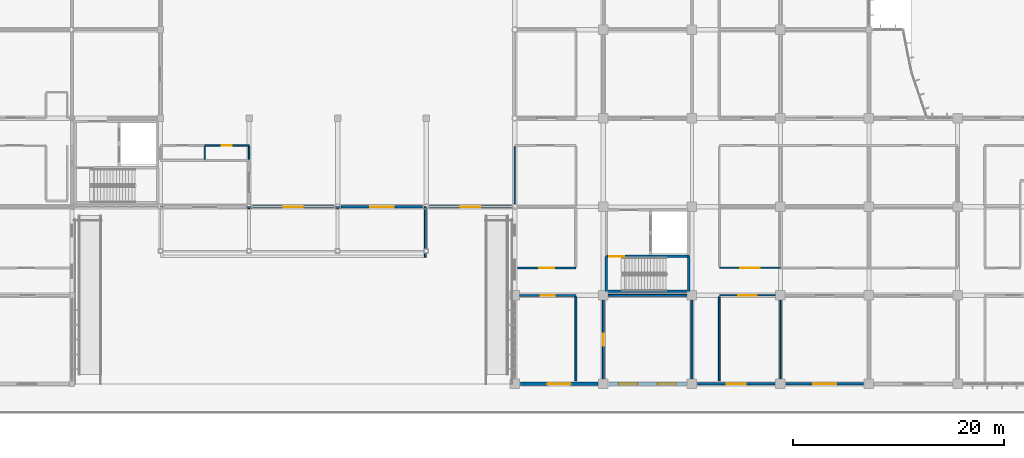
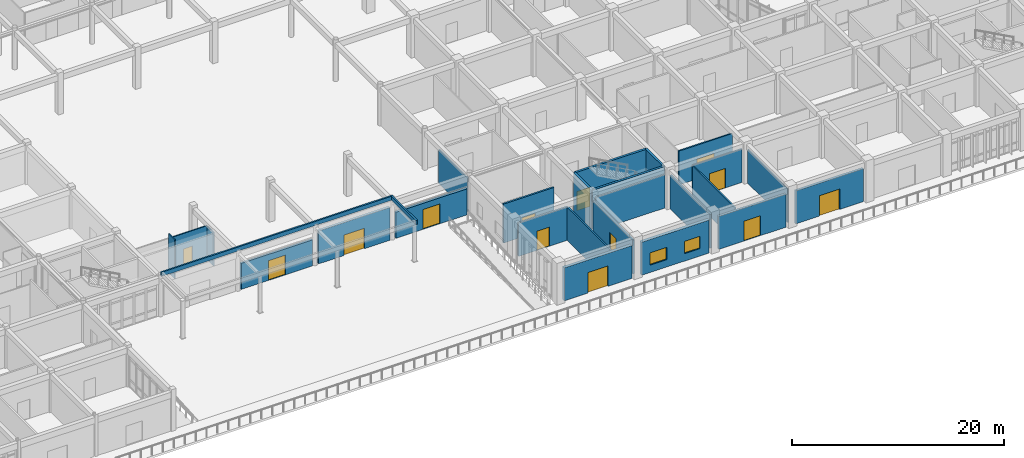
# One storey, part 94 of 138: 27 walls, 13 doors, 2 windows, 15 openings.
"""IFC4 building model written with IfcOpenShell, lengths in metres."""

from ifc_helpers import new_model, si_unit, direction, frame, frame_2d, origin, place, context, subcontext, project, spatial, rectangle, extrude, material, layer, layer_set, type_object, element, fill, save


model = new_model("IFC4")

# Units and contexts
model_context = context("Model", 3, precision=1e-05, world=origin(), true_north=direction((0.0, 1.0)))
body_context = subcontext(model_context, "Body", "Model", "MODEL_VIEW")
ifc_project = project(units=[si_unit("LENGTHUNIT", "METRE"), si_unit("AREAUNIT", "SQUARE_METRE"), si_unit("VOLUMEUNIT", "CUBIC_METRE"), si_unit("PLANEANGLEUNIT", "RADIAN"), si_unit("MASSUNIT", "GRAM", prefix="KILO")], contexts=[model_context])

# Site, building, storey
site_placement = place(None, origin())
site = spatial("IfcSite", under=ifc_project, at=site_placement, CompositionType="ELEMENT")
building_placement = place(site_placement, origin())
building = spatial("IfcBuilding", under=site, at=building_placement, Name="Bramfleet General Hospital", CompositionType="ELEMENT")
storey_placement = place(building_placement, origin())
storey = spatial("IfcBuildingStorey", under=building, at=storey_placement, Name="L00", CompositionType="ELEMENT", Elevation=0.0)

# Wall, openings, windows
ifc_material_1 = material(Name="Precast concrete C40/50", Category="concrete")
ifc_layer_1 = layer(ifc_material_1, 0.3349609375, Name="WT-EW-03")
ifc_layer_set_1 = layer_set([ifc_layer_1], Name="Precast concrete C40/50")
wall_type_1 = type_object("IfcWallType", Name="WT-EW-03", PredefinedType="SOLIDWALL", material=ifc_layer_set_1)
wall_1_placement = place(storey_placement, frame((108.675048828125, 0.0, 0.0), z_axis=(0.0, 0.0, 1.0), x_axis=(-1.0, 0.0, 0.0)))
wall_1 = element("IfcWall", 1, at=wall_1_placement, inside=storey, type_object=wall_type_1, Name="L00 Exterior Wall 141", PredefinedType="SOLIDWALL", context=body_context, shape_type="SweptSolid", body=[
    extrude(rectangle(XDim=7.35009765625, YDim=0.3349609375, at=frame_2d((3.675048828125, 0.0))), origin(), (0.0, 0.0, 1.0), 3.7900390625),
])
opening_1_placement = place(wall_1_placement, frame((0.987548828125, 0.0, 0.85009765625)))
opening_1 = element("IfcOpeningElement", 2, at=opening_1_placement, cuts=wall_1, Name="Opening W-18", PredefinedType="OPENING", context=body_context, shape_type="SweptSolid", body=[
    extrude(rectangle(XDim=1.699951171875, YDim=1.419921875, at=frame_2d((0.85009765625, 0.7099609375))), frame((0.0, 0.177490234375, 0.0), z_axis=(0.0, -1.0, 0.0), x_axis=(1.0, 0.0, 0.0)), (0.0, 0.0, 1.0), 0.35498046875),
])
opening_2_placement = place(wall_1_placement, frame((4.612548828125, 0.0, 0.85009765625)))
opening_2 = element("IfcOpeningElement", 3, at=opening_2_placement, cuts=wall_1, Name="Opening W-19", PredefinedType="OPENING", context=body_context, shape_type="SweptSolid", body=[
    extrude(rectangle(XDim=1.800048828125, YDim=1.419921875, at=frame_2d((0.89990234375, 0.7099609375))), frame((0.0, 0.177490234375, 0.0), z_axis=(0.0, -1.0, 0.0), x_axis=(1.0, 0.0, 0.0)), (0.0, 0.0, 1.0), 0.35498046875),
])
ifc_material_2 = material(Name="Anodised aluminium and low-E triple glazing", Category="aluminium")
window_type_1 = type_object("IfcWindowType", Name="WIN-W-18", PartitioningType="SINGLE_PANEL", PredefinedType="WINDOW", material=ifc_material_2)
window_1_placement = place(opening_1_placement, origin())
window_1 = element("IfcWindow", 4, at=window_1_placement, inside=storey, type_object=window_type_1, Name="L00 Facade Window WIN-L00-141-1", OverallHeight=1.419921875, OverallWidth=1.699951171875, PartitioningType="SINGLE_PANEL", PredefinedType="WINDOW", context=body_context, shape_type="SweptSolid", body=[
    extrude(rectangle(XDim=1.699951171875, YDim=1.419921875, at=frame_2d((0.85009765625, 0.7099609375))), frame((0.0, 0.030029296875, 0.0), z_axis=(0.0, -1.0, 0.0), x_axis=(1.0, 0.0, 0.0)), (0.0, 0.0, 1.0), 0.06005859375),
])
fill(opening_1, window_1)
window_type_2 = type_object("IfcWindowType", Name="WIN-W-19", PartitioningType="SINGLE_PANEL", PredefinedType="WINDOW", material=ifc_material_2)
window_2_placement = place(opening_2_placement, origin())
window_2 = element("IfcWindow", 5, at=window_2_placement, inside=storey, type_object=window_type_2, Name="L00 Facade Window WIN-L00-141-2", OverallHeight=1.419921875, OverallWidth=1.800048828125, PartitioningType="SINGLE_PANEL", PredefinedType="WINDOW", context=body_context, shape_type="SweptSolid", body=[
    extrude(rectangle(XDim=1.800048828125, YDim=1.419921875, at=frame_2d((0.89990234375, 0.7099609375))), frame((0.0, 0.030029296875, 0.0), z_axis=(0.0, -1.0, 0.0), x_axis=(1.0, 0.0, 0.0)), (0.0, 0.0, 1.0), 0.06005859375),
])
fill(opening_2, window_2)

# Wall, opening, door
ifc_layer_2 = layer(ifc_material_1, 0.31494140625, Name="WT-EW-04")
ifc_layer_set_2 = layer_set([ifc_layer_2], Name="Precast concrete C40/50")
wall_type_2 = type_object("IfcWallType", Name="WT-EW-04", PredefinedType="SOLIDWALL", material=ifc_layer_set_2)
wall_2_placement = place(storey_placement, frame((100.27490234375, 0.0, 0.0), z_axis=(0.0, 0.0, 1.0), x_axis=(-1.0, 0.0, 0.0)))
wall_2 = element("IfcWall", 6, at=wall_2_placement, inside=storey, type_object=wall_type_2, Name="L00 Exterior Wall 142", PredefinedType="SOLIDWALL", context=body_context, shape_type="SweptSolid", body=[
    extrude(rectangle(XDim=7.349853515625, YDim=0.31494140625, at=frame_2d((3.6748046875, 0.0))), origin(), (0.0, 0.0, 1.0), 3.7900390625),
])
opening_3_placement = place(wall_2_placement, frame((2.574951171875, 0.0, 0.0)))
opening_3 = element("IfcOpeningElement", 7, at=opening_3_placement, cuts=wall_2, Name="Opening D-L00-EXT-012", PredefinedType="OPENING", context=body_context, shape_type="SweptSolid", body=[
    extrude(rectangle(XDim=2.199951171875, YDim=2.35009765625, at=frame_2d((1.10009765625, 1.175048828125))), frame((0.0, 0.16748046875, 0.0), z_axis=(0.0, -1.0, 0.0), x_axis=(1.0, 0.0, 0.0)), (0.0, 0.0, 1.0), 0.3349609375),
])
ifc_material_3 = material(Name="Thermally broken steel and laminated safety glass", Category="steel")
door_type_1 = type_object("IfcDoorType", Name="DR-ED-01", OperationType="NOTDEFINED", PredefinedType="DOOR", material=ifc_material_3)
door_1_placement = place(opening_3_placement, origin())
door_1 = element("IfcDoor", 8, at=door_1_placement, inside=storey, type_object=door_type_1, Name="Ground Exterior Pedestrian Door D-L00-EXT-012", OperationType="DOUBLE_SWING_LEFT", OverallHeight=2.35009765625, OverallWidth=2.199951171875, PredefinedType="DOOR", context=body_context, shape_type="SweptSolid", body=[
    extrude(rectangle(XDim=2.199951171875, YDim=2.35009765625, at=frame_2d((1.10009765625, 1.175048828125))), frame((0.0, 0.02490234375, 0.0), z_axis=(0.0, -1.0, 0.0), x_axis=(1.0, 0.0, 0.0)), (0.0, 0.0, 1.0), 0.050048828125),
])
fill(opening_3, door_1)

ifc_layer_3 = layer(ifc_material_1, 0.280029296875, Name="WT-EW-06")
ifc_layer_set_3 = layer_set([ifc_layer_3], Name="Precast concrete C40/50")
wall_type_3 = type_object("IfcWallType", Name="WT-EW-06", PredefinedType="SOLIDWALL", material=ifc_layer_set_3)
wall_3_placement = place(storey_placement, frame((92.071044921875, 16.800048828125, 0.0), z_axis=(0.0, 0.0, 1.0), x_axis=(-1.0, 0.0, 0.0)))
wall_3 = element("IfcWall", 9, at=wall_3_placement, inside=storey, type_object=wall_type_3, Name="L00 Exterior Wall 144", PredefinedType="SOLIDWALL", context=body_context, shape_type="SweptSolid", body=[
    extrude(rectangle(XDim=7.741943359375, YDim=0.280029296875, at=frame_2d((3.87109375, 0.0))), origin(), (0.0, 0.0, 1.0), 2.989990234375),
])
opening_4_placement = place(wall_3_placement, frame((2.9609375, 0.0, 0.0)))
opening_4 = element("IfcOpeningElement", 10, at=opening_4_placement, cuts=wall_3, Name="Opening D-L00-EXT-013", PredefinedType="OPENING", context=body_context, shape_type="SweptSolid", body=[
    extrude(rectangle(XDim=1.820068359375, YDim=2.280029296875, at=frame_2d((0.91015625, 1.14013671875))), frame((0.0, 0.14990234375, 0.0), z_axis=(0.0, -1.0, 0.0), x_axis=(1.0, 0.0, 0.0)), (0.0, 0.0, 1.0), 0.300048828125),
])
door_type_2 = type_object("IfcDoorType", Name="DR-ED-02", OperationType="NOTDEFINED", PredefinedType="DOOR", material=ifc_material_3)
door_2_placement = place(opening_4_placement, origin())
door_2 = element("IfcDoor", 11, at=door_2_placement, inside=storey, type_object=door_type_2, Name="Ground Exterior Pedestrian Door D-L00-EXT-013", OperationType="DOUBLE_SWING_LEFT", OverallHeight=2.280029296875, OverallWidth=1.820068359375, PredefinedType="DOOR", context=body_context, shape_type="SweptSolid", body=[
    extrude(rectangle(XDim=1.820068359375, YDim=2.280029296875, at=frame_2d((0.91015625, 1.14013671875))), frame((0.0, 0.02490234375, 0.0), z_axis=(0.0, -1.0, 0.0), x_axis=(1.0, 0.0, 0.0)), (0.0, 0.0, 1.0), 0.050048828125),
])
fill(opening_4, door_2)

ifc_layer_4 = layer(ifc_material_1, 0.264892578125, Name="WT-EW-07")
ifc_layer_set_4 = layer_set([ifc_layer_4], Name="Precast concrete C40/50")
wall_type_4 = type_object("IfcWallType", Name="WT-EW-07", PredefinedType="SOLIDWALL", material=ifc_layer_set_4)
wall_4_placement = place(storey_placement, frame((83.6708984375, 16.800048828125, 0.0), z_axis=(0.0, 0.0, 1.0), x_axis=(-1.0, 0.0, 0.0)))
wall_4 = element("IfcWall", 12, at=wall_4_placement, inside=storey, type_object=wall_type_4, Name="L00 Exterior Wall 145", PredefinedType="SOLIDWALL", context=body_context, shape_type="SweptSolid", body=[
    extrude(rectangle(XDim=7.741943359375, YDim=0.264892578125, at=frame_2d((3.87109375, 0.0))), origin(), (0.0, 0.0, 1.0), 3.7900390625),
])
opening_5_placement = place(wall_4_placement, frame((2.77099609375, 0.0, 0.0)))
opening_5 = element("IfcOpeningElement", 13, at=opening_5_placement, cuts=wall_4, Name="Opening D-L00-EXT-014", PredefinedType="OPENING", context=body_context, shape_type="SweptSolid", body=[
    extrude(rectangle(XDim=2.199951171875, YDim=2.35009765625, at=frame_2d((1.10009765625, 1.175048828125))), frame((0.0, 0.142333984375, 0.0), z_axis=(0.0, -1.0, 0.0), x_axis=(1.0, 0.0, 0.0)), (0.0, 0.0, 1.0), 0.284912109375),
])
door_3_placement = place(opening_5_placement, origin())
door_3 = element("IfcDoor", 14, at=door_3_placement, inside=storey, type_object=door_type_1, Name="Ground Exterior Pedestrian Door D-L00-EXT-014", OperationType="DOUBLE_SWING_LEFT", OverallHeight=2.35009765625, OverallWidth=2.199951171875, PredefinedType="DOOR", context=body_context, shape_type="SweptSolid", body=[
    extrude(rectangle(XDim=2.199951171875, YDim=2.35009765625, at=frame_2d((1.10009765625, 1.175048828125))), frame((0.0, 0.02490234375, 0.0), z_axis=(0.0, -1.0, 0.0), x_axis=(1.0, 0.0, 0.0)), (0.0, 0.0, 1.0), 0.050048828125),
])
fill(opening_5, door_3)

ifc_layer_5 = layer(ifc_material_1, 0.25, Name="WT-EW-08")
ifc_layer_set_5 = layer_set([ifc_layer_5], Name="Precast concrete C40/50")
wall_type_5 = type_object("IfcWallType", Name="WT-EW-08", PredefinedType="SOLIDWALL", material=ifc_layer_set_5)
wall_5_placement = place(storey_placement, frame((125.47509765625, 0.0, 0.0), z_axis=(0.0, 0.0, 1.0), x_axis=(-1.0, 0.0, 0.0)))
wall_5 = element("IfcWall", 15, at=wall_5_placement, inside=storey, type_object=wall_type_5, Name="L00 Exterior Wall 139", PredefinedType="SOLIDWALL", context=body_context, shape_type="SweptSolid", body=[
    extrude(rectangle(XDim=7.35009765625, YDim=0.25, at=frame_2d((3.675048828125, 0.0))), origin(), (0.0, 0.0, 1.0), 3.7900390625),
])
opening_6_placement = place(wall_5_placement, frame((2.574951171875, 0.0, 0.0)))
opening_6 = element("IfcOpeningElement", 16, at=opening_6_placement, cuts=wall_5, Name="Opening D-L00-EXT-010", PredefinedType="OPENING", context=body_context, shape_type="SweptSolid", body=[
    extrude(rectangle(XDim=2.199951171875, YDim=2.35009765625, at=frame_2d((1.10009765625, 1.175048828125))), frame((0.0, 0.135009765625, 0.0), z_axis=(0.0, -1.0, 0.0), x_axis=(1.0, 0.0, 0.0)), (0.0, 0.0, 1.0), 0.27001953125),
])
door_4_placement = place(opening_6_placement, origin())
door_4 = element("IfcDoor", 17, at=door_4_placement, inside=storey, type_object=door_type_1, Name="Ground Exterior Pedestrian Door D-L00-EXT-010", OperationType="DOUBLE_SWING_LEFT", OverallHeight=2.35009765625, OverallWidth=2.199951171875, PredefinedType="DOOR", context=body_context, shape_type="SweptSolid", body=[
    extrude(rectangle(XDim=2.199951171875, YDim=2.35009765625, at=frame_2d((1.10009765625, 1.175048828125))), frame((0.0, 0.02490234375, 0.0), z_axis=(0.0, -1.0, 0.0), x_axis=(1.0, 0.0, 0.0)), (0.0, 0.0, 1.0), 0.050048828125),
])
fill(opening_6, door_4)

wall_6_placement = place(storey_placement, frame((75.27099609375, 16.800048828125, 0.0), z_axis=(0.0, 0.0, 1.0), x_axis=(-1.0, 0.0, 0.0)))
wall_6 = element("IfcWall", 18, at=wall_6_placement, inside=storey, type_object=wall_type_5, Name="L00 Exterior Wall 146", PredefinedType="SOLIDWALL", context=body_context, shape_type="SweptSolid", body=[
    extrude(rectangle(XDim=7.741943359375, YDim=0.25, at=frame_2d((3.87109375, 0.0))), origin(), (0.0, 0.0, 1.0), 2.989990234375),
])
opening_7_placement = place(wall_6_placement, frame((2.9609375, 0.0, 0.0)))
opening_7 = element("IfcOpeningElement", 19, at=opening_7_placement, cuts=wall_6, Name="Opening D-L00-EXT-015", PredefinedType="OPENING", context=body_context, shape_type="SweptSolid", body=[
    extrude(rectangle(XDim=1.820068359375, YDim=2.280029296875, at=frame_2d((0.91015625, 1.14013671875))), frame((0.0, 0.135009765625, 0.0), z_axis=(0.0, -1.0, 0.0), x_axis=(1.0, 0.0, 0.0)), (0.0, 0.0, 1.0), 0.27001953125),
])
door_5_placement = place(opening_7_placement, origin())
door_5 = element("IfcDoor", 20, at=door_5_placement, inside=storey, type_object=door_type_2, Name="Ground Exterior Pedestrian Door D-L00-EXT-015", OperationType="DOUBLE_SWING_LEFT", OverallHeight=2.280029296875, OverallWidth=1.820068359375, PredefinedType="DOOR", context=body_context, shape_type="SweptSolid", body=[
    extrude(rectangle(XDim=1.820068359375, YDim=2.280029296875, at=frame_2d((0.91015625, 1.14013671875))), frame((0.0, 0.02490234375, 0.0), z_axis=(0.0, -1.0, 0.0), x_axis=(1.0, 0.0, 0.0)), (0.0, 0.0, 1.0), 0.050048828125),
])
fill(opening_7, door_5)

ifc_layer_6 = layer(ifc_material_1, 0.235107421875, Name="WT-EW-09")
ifc_layer_set_6 = layer_set([ifc_layer_6], Name="Precast concrete C40/50")
wall_type_6 = type_object("IfcWallType", Name="WT-EW-09", PredefinedType="SOLIDWALL", material=ifc_layer_set_6)
wall_7_placement = place(storey_placement, frame((117.074951171875, 0.0, 0.0), z_axis=(0.0, 0.0, 1.0), x_axis=(-1.0, 0.0, 0.0)))
wall_7 = element("IfcWall", 21, at=wall_7_placement, inside=storey, type_object=wall_type_6, Name="L00 Exterior Wall 140", PredefinedType="SOLIDWALL", context=body_context, shape_type="SweptSolid", body=[
    extrude(rectangle(XDim=7.349853515625, YDim=0.235107421875, at=frame_2d((3.6748046875, 0.0))), origin(), (0.0, 0.0, 1.0), 3.7900390625),
])
opening_8_placement = place(wall_7_placement, frame((2.764892578125, 0.0, 0.0)))
opening_8 = element("IfcOpeningElement", 22, at=opening_8_placement, cuts=wall_7, Name="Opening D-L00-EXT-011", PredefinedType="OPENING", context=body_context, shape_type="SweptSolid", body=[
    extrude(rectangle(XDim=1.820068359375, YDim=2.280029296875, at=frame_2d((0.91015625, 1.14013671875))), frame((0.0, 0.12744140625, 0.0), z_axis=(0.0, -1.0, 0.0), x_axis=(1.0, 0.0, 0.0)), (0.0, 0.0, 1.0), 0.255126953125),
])
door_6_placement = place(opening_8_placement, origin())
door_6 = element("IfcDoor", 23, at=door_6_placement, inside=storey, type_object=door_type_2, Name="Ground Exterior Pedestrian Door D-L00-EXT-011", OperationType="DOUBLE_SWING_LEFT", OverallHeight=2.280029296875, OverallWidth=1.820068359375, PredefinedType="DOOR", context=body_context, shape_type="SweptSolid", body=[
    extrude(rectangle(XDim=1.820068359375, YDim=2.280029296875, at=frame_2d((0.91015625, 1.14013671875))), frame((0.0, 0.02490234375, 0.0), z_axis=(0.0, -1.0, 0.0), x_axis=(1.0, 0.0, 0.0)), (0.0, 0.0, 1.0), 0.050048828125),
])
fill(opening_8, door_6)

ifc_material_4 = material(Name="Concrete C35/45", Category="concrete")
ifc_layer_7 = layer(ifc_material_4, 0.179931640625, Name="WT-IW-04")
ifc_layer_set_7 = layer_set([ifc_layer_7], Name="Concrete C35/45")
wall_type_7 = type_object("IfcWallType", Name="WT-IW-04", PredefinedType="PARTITIONING", material=ifc_layer_set_7)
wall_8_placement = place(storey_placement, frame((92.844970703125, 8.39990234375, 0.0), z_axis=(0.0, 0.0, 1.0), x_axis=(1.0, 0.0, 0.0)))
wall_8 = element("IfcWall", 24, at=wall_8_placement, inside=storey, type_object=wall_type_7, Name="L00 Interior Partition IW-L00-0605", PredefinedType="PARTITIONING", context=body_context, shape_type="SweptSolid", body=[
    extrude(rectangle(XDim=5.35498046875, YDim=0.179931640625, at=frame_2d((2.677490234375, 0.0))), origin(), (0.0, 0.0, 1.0), 3.840087890625),
])
opening_9_placement = place(wall_8_placement, frame((2.00244140625, 0.0, 0.0)))
opening_9 = element("IfcOpeningElement", 25, at=opening_9_placement, cuts=wall_8, Name="Opening D0514", PredefinedType="OPENING", context=body_context, shape_type="SweptSolid", body=[
    extrude(rectangle(XDim=1.35009765625, YDim=2.199951171875, at=frame_2d((0.675048828125, 1.10009765625))), frame((0.0, 0.099853515625, 0.0), z_axis=(0.0, -1.0, 0.0), x_axis=(1.0, 0.0, 0.0)), (0.0, 0.0, 1.0), 0.199951171875),
])
ifc_material_5 = material(Name="Stainless steel and acoustic timber leaf", Category="steel")
door_type_3 = type_object("IfcDoorType", Name="DR-D-02", OperationType="NOTDEFINED", PredefinedType="DOOR", material=ifc_material_5)
door_7_placement = place(opening_9_placement, origin())
door_7 = element("IfcDoor", 26, at=door_7_placement, inside=storey, type_object=door_type_3, Name="Diagnostic Ultrasound and Fluoroscopy 1100 Door D0514", OperationType="SINGLE_SWING_LEFT", OverallHeight=2.199951171875, OverallWidth=1.35009765625, PredefinedType="DOOR", context=body_context, shape_type="SweptSolid", body=[
    extrude(rectangle(XDim=1.35009765625, YDim=2.199951171875, at=frame_2d((0.675048828125, 1.10009765625))), frame((0.0, 0.02490234375, 0.0), z_axis=(0.0, -1.0, 0.0), x_axis=(1.0, 0.0, 0.0)), (0.0, 0.0, 1.0), 0.050048828125),
])
fill(opening_9, door_7)

# Wall
wall_9_placement = place(storey_placement, frame((101.2451171875, 8.39990234375, 0.0), z_axis=(0.0, 0.0, 1.0), x_axis=(1.0, 0.0, 0.0)))
element("IfcWall", 27, at=wall_9_placement, inside=storey, type_object=wall_type_7, Name="L00 Interior Partition IW-L00-0606", PredefinedType="PARTITIONING", context=body_context, shape_type="SweptSolid", body=[
    extrude(rectangle(XDim=7.509765625, YDim=0.179931640625, at=frame_2d((3.7548828125, 0.0))), origin(), (0.0, 0.0, 1.0), 3.840087890625),
])

# Wall, opening, door
wall_10_placement = place(storey_placement, frame((92.679931640625, 11.0, 0.0), z_axis=(0.0, 0.0, 1.0), x_axis=(1.0, 0.0, 0.0)))
wall_10 = element("IfcWall", 28, at=wall_10_placement, inside=storey, type_object=wall_type_7, Name="L00 Interior Partition IW-L00-0618", PredefinedType="PARTITIONING", context=body_context, shape_type="SweptSolid", body=[
    extrude(rectangle(XDim=5.52001953125, YDim=0.179931640625, at=frame_2d((2.760009765625, 0.0))), origin(), (0.0, 0.0, 1.0), 4.489990234375),
])
opening_10_placement = place(wall_10_placement, frame((2.034912109375, 0.0, 0.0)))
opening_10 = element("IfcOpeningElement", 29, at=opening_10_placement, cuts=wall_10, Name="Opening D0515", PredefinedType="OPENING", context=body_context, shape_type="SweptSolid", body=[
    extrude(rectangle(XDim=1.449951171875, YDim=2.199951171875, at=frame_2d((0.72509765625, 1.10009765625))), frame((0.0, 0.099853515625, 0.0), z_axis=(0.0, -1.0, 0.0), x_axis=(1.0, 0.0, 0.0)), (0.0, 0.0, 1.0), 0.199951171875),
])
door_type_4 = type_object("IfcDoorType", Name="DR-D-03", OperationType="NOTDEFINED", PredefinedType="DOOR", material=ifc_material_5)
door_8_placement = place(opening_10_placement, origin())
door_8 = element("IfcDoor", 30, at=door_8_placement, inside=storey, type_object=door_type_4, Name="Diagnostic Ultrasound and Fluoroscopy 1101 Door D0515", OperationType="SINGLE_SWING_RIGHT", OverallHeight=2.199951171875, OverallWidth=1.449951171875, PredefinedType="DOOR", context=body_context, shape_type="SweptSolid", body=[
    extrude(rectangle(XDim=1.449951171875, YDim=2.199951171875, at=frame_2d((0.72509765625, 1.10009765625))), frame((0.0, 0.02490234375, 0.0), z_axis=(0.0, -1.0, 0.0), x_axis=(1.0, 0.0, 0.0)), (0.0, 0.0, 1.0), 0.050048828125),
])
fill(opening_10, door_8)

# Wall
wall_11_placement = place(storey_placement, frame((98.199951171875, 0.280029296875, 0.0), z_axis=(0.0, 0.0, 1.0), x_axis=(0.0, 1.0, 0.0)))
element("IfcWall", 31, at=wall_11_placement, inside=storey, type_object=wall_type_7, Name="L00 Interior Partition IW-L00-1074", PredefinedType="PARTITIONING", context=body_context, shape_type="SweptSolid", body=[
    extrude(rectangle(XDim=8.0048828125, YDim=0.179931640625, at=frame_2d((4.00244140625, 0.0))), origin(), (0.0, 0.0, 1.0), 3.840087890625),
])

# Wall, opening, door
wall_12_placement = place(storey_placement, frame((100.800048828125, 0.445068359375, 0.0), z_axis=(0.0, 0.0, 1.0), x_axis=(0.0, 1.0, 0.0)))
wall_12 = element("IfcWall", 32, at=wall_12_placement, inside=storey, type_object=wall_type_7, Name="L00 Interior Partition IW-L00-1085", PredefinedType="PARTITIONING", context=body_context, shape_type="SweptSolid", body=[
    extrude(rectangle(XDim=7.510009765625, YDim=0.179931640625, at=frame_2d((3.7548828125, 0.0))), origin(), (0.0, 0.0, 1.0), 3.889892578125),
])
opening_11_placement = place(wall_12_placement, frame((3.179931640625, 0.0, 0.0)))
opening_11 = element("IfcOpeningElement", 33, at=opening_11_placement, cuts=wall_12, Name="Opening D0524", PredefinedType="OPENING", context=body_context, shape_type="SweptSolid", body=[
    extrude(rectangle(XDim=1.14990234375, YDim=2.14990234375, at=frame_2d((0.574951171875, 1.074951171875))), frame((0.0, 0.099853515625, 0.0), z_axis=(0.0, -1.0, 0.0), x_axis=(1.0, 0.0, 0.0)), (0.0, 0.0, 1.0), 0.199951171875),
])
door_type_5 = type_object("IfcDoorType", Name="DR-D-12", OperationType="NOTDEFINED", PredefinedType="DOOR", material=ifc_material_5)
door_9_placement = place(opening_11_placement, origin())
door_9 = element("IfcDoor", 34, at=door_9_placement, inside=storey, type_object=door_type_5, Name="Diagnostic Ultrasound and Fluoroscopy 1200 Door D0524", OperationType="SINGLE_SWING_LEFT", OverallHeight=2.14990234375, OverallWidth=1.14990234375, PredefinedType="DOOR", context=body_context, shape_type="SweptSolid", body=[
    extrude(rectangle(XDim=1.14990234375, YDim=2.14990234375, at=frame_2d((0.574951171875, 1.074951171875))), frame((0.0, 0.02490234375, 0.0), z_axis=(0.0, -1.0, 0.0), x_axis=(1.0, 0.0, 0.0)), (0.0, 0.0, 1.0), 0.050048828125),
])
fill(opening_11, door_9)

# Wall
wall_13_placement = place(storey_placement, frame((109.199951171875, 0.445068359375, 0.0), z_axis=(0.0, 0.0, 1.0), x_axis=(0.0, 1.0, 0.0)))
element("IfcWall", 35, at=wall_13_placement, inside=storey, type_object=wall_type_7, Name="L00 Interior Partition IW-L00-1092", PredefinedType="PARTITIONING", context=body_context, shape_type="SweptSolid", body=[
    extrude(rectangle(XDim=7.510009765625, YDim=0.179931640625, at=frame_2d((3.7548828125, 0.0))), origin(), (0.0, 0.0, 1.0), 3.889892578125),
])

# Wall, opening, door
ifc_material_6 = material(Name="Gypsum plasterboard on acoustic steel studs", Category="steel")
ifc_layer_8 = layer(ifc_material_6, 0.14990234375, Name="WT-IW-07")
ifc_layer_set_8 = layer_set([ifc_layer_8], Name="Gypsum plasterboard on acoustic steel studs")
wall_type_8 = type_object("IfcWallType", Name="WT-IW-07", PredefinedType="PARTITIONING", material=ifc_layer_set_8)
wall_14_placement = place(storey_placement, frame((111.800048828125, 8.39990234375, 0.0), z_axis=(0.0, 0.0, 1.0), x_axis=(1.0, 0.0, 0.0)))
wall_14 = element("IfcWall", 36, at=wall_14_placement, inside=storey, type_object=wall_type_8, Name="L00 Interior Partition IW-L00-0607", PredefinedType="PARTITIONING", context=body_context, shape_type="SweptSolid", body=[
    extrude(rectangle(XDim=5.35498046875, YDim=0.14990234375, at=frame_2d((2.677490234375, 0.0))), origin(), (0.0, 0.0, 1.0), 3.840087890625),
])
opening_12_placement = place(wall_14_placement, frame((1.8076171875, 0.0, 0.0)))
opening_12 = element("IfcOpeningElement", 37, at=opening_12_placement, cuts=wall_14, Name="Opening D0531", PredefinedType="OPENING", context=body_context, shape_type="SweptSolid", body=[
    extrude(rectangle(XDim=1.739990234375, YDim=2.239990234375, at=frame_2d((0.8701171875, 1.1201171875))), frame((0.0, 0.0849609375, 0.0), z_axis=(0.0, -1.0, 0.0), x_axis=(1.0, 0.0, 0.0)), (0.0, 0.0, 1.0), 0.169921875),
])
door_type_6 = type_object("IfcDoorType", Name="DR-D-19", OperationType="NOTDEFINED", PredefinedType="DOOR", material=ifc_material_5)
door_10_placement = place(opening_12_placement, origin())
door_10 = element("IfcDoor", 38, at=door_10_placement, inside=storey, type_object=door_type_6, Name="Outpatient Clinic Room L00-1300 Door D0531", OperationType="DOUBLE_SWING_RIGHT", OverallHeight=2.239990234375, OverallWidth=1.739990234375, PredefinedType="DOOR", context=body_context, shape_type="SweptSolid", body=[
    extrude(rectangle(XDim=1.739990234375, YDim=2.239990234375, at=frame_2d((0.8701171875, 1.1201171875))), frame((0.0, 0.02490234375, 0.0), z_axis=(0.0, -1.0, 0.0), x_axis=(1.0, 0.0, 0.0)), (0.0, 0.0, 1.0), 0.050048828125),
])
fill(opening_12, door_10)

wall_15_placement = place(storey_placement, frame((111.800048828125, 11.0, 0.0), z_axis=(0.0, 0.0, 1.0), x_axis=(1.0, 0.0, 0.0)))
wall_15 = element("IfcWall", 39, at=wall_15_placement, inside=storey, type_object=wall_type_8, Name="L00 Interior Partition IW-L00-0619", PredefinedType="PARTITIONING", context=body_context, shape_type="SweptSolid", body=[
    extrude(rectangle(XDim=5.800048828125, YDim=0.14990234375, at=frame_2d((2.89990234375, 0.0))), origin(), (0.0, 0.0, 1.0), 3.889892578125),
])
opening_13_placement = place(wall_15_placement, frame((1.97998046875, 0.0, 0.0)))
opening_13 = element("IfcOpeningElement", 40, at=opening_13_placement, cuts=wall_15, Name="Opening D0532", PredefinedType="OPENING", context=body_context, shape_type="SweptSolid", body=[
    extrude(rectangle(XDim=1.840087890625, YDim=2.280029296875, at=frame_2d((0.919921875, 1.14013671875))), frame((0.0, 0.0849609375, 0.0), z_axis=(0.0, -1.0, 0.0), x_axis=(1.0, 0.0, 0.0)), (0.0, 0.0, 1.0), 0.169921875),
])
door_type_7 = type_object("IfcDoorType", Name="DR-D-20", OperationType="NOTDEFINED", PredefinedType="DOOR", material=ifc_material_5)
door_11_placement = place(opening_13_placement, origin())
door_11 = element("IfcDoor", 41, at=door_11_placement, inside=storey, type_object=door_type_7, Name="Outpatient Clinic Room L00-1301 Door D0532", OperationType="DOUBLE_SWING_LEFT", OverallHeight=2.280029296875, OverallWidth=1.840087890625, PredefinedType="DOOR", context=body_context, shape_type="SweptSolid", body=[
    extrude(rectangle(XDim=1.840087890625, YDim=2.280029296875, at=frame_2d((0.919921875, 1.14013671875))), frame((0.0, 0.02490234375, 0.0), z_axis=(0.0, -1.0, 0.0), x_axis=(1.0, 0.0, 0.0)), (0.0, 0.0, 1.0), 0.050048828125),
])
fill(opening_13, door_11)

# Walls
wall_16_placement = place(storey_placement, frame((111.800048828125, 0.280029296875, 0.0), z_axis=(0.0, 0.0, 1.0), x_axis=(0.0, 1.0, 0.0)))
element("IfcWall", 42, at=wall_16_placement, inside=storey, type_object=wall_type_8, Name="L00 Interior Partition IW-L00-1099", PredefinedType="PARTITIONING", context=body_context, shape_type="SweptSolid", body=[
    extrude(rectangle(XDim=8.0048828125, YDim=0.14990234375, at=frame_2d((4.00244140625, 0.0))), origin(), (0.0, 0.0, 1.0), 3.840087890625),
])
ifc_layer_9 = layer(ifc_material_6, 0.1298828125, Name="WT-IW-09")
ifc_layer_set_9 = layer_set([ifc_layer_9], Name="Gypsum plasterboard on acoustic steel studs")
wall_type_9 = type_object("IfcWallType", Name="WT-IW-09", PredefinedType="PARTITIONING", material=ifc_layer_set_9)
wall_17_placement = place(storey_placement, frame((92.39990234375, 17.049072265625, 0.0), z_axis=(0.0, 0.0, 1.0), x_axis=(0.0, 1.0, 0.0)))
element("IfcWall", 43, at=wall_17_placement, inside=storey, type_object=wall_type_9, Name="L00 Interior Partition IW-L00-1065", PredefinedType="PARTITIONING", context=body_context, shape_type="SweptSolid", body=[
    extrude(rectangle(XDim=5.43603515625, YDim=0.1298828125, at=frame_2d((2.718017578125, 0.0))), origin(), (0.0, 0.0, 1.0), 3.889892578125),
])

# Wall, opening, door
ifc_layer_10 = layer(ifc_material_6, 0.1201171875, Name="WT-IW-10")
ifc_layer_set_10 = layer_set([ifc_layer_10], Name="Gypsum plasterboard on acoustic steel studs")
wall_type_10 = type_object("IfcWallType", Name="WT-IW-10", PredefinedType="PARTITIONING", material=ifc_layer_set_10)
wall_18_placement = place(storey_placement, frame((63.0, 22.60009765625, 0.0), z_axis=(0.0, 0.0, 1.0), x_axis=(1.0, 0.0, 0.0)))
wall_18 = element("IfcWall", 44, at=wall_18_placement, inside=storey, type_object=wall_type_10, Name="L00 Interior Partition IW-L00-0649", PredefinedType="PARTITIONING", context=body_context, shape_type="SweptSolid", body=[
    extrude(rectangle(XDim=4.199951171875, YDim=0.1201171875, at=frame_2d((2.10009765625, 0.0))), origin(), (0.0, 0.0, 1.0), 3.889892578125),
])
opening_14_placement = place(wall_18_placement, frame((1.625, 0.0, 0.0)))
opening_14 = element("IfcOpeningElement", 45, at=opening_14_placement, cuts=wall_18, Name="Opening D0487", PredefinedType="OPENING", context=body_context, shape_type="SweptSolid", body=[
    extrude(rectangle(XDim=0.949951171875, YDim=2.10009765625, at=frame_2d((0.47509765625, 1.050048828125))), frame((0.0, 0.070068359375, 0.0), z_axis=(0.0, -1.0, 0.0), x_axis=(1.0, 0.0, 0.0)), (0.0, 0.0, 1.0), 0.14013671875),
])
door_type_8 = type_object("IfcDoorType", Name="DR-D-10", OperationType="NOTDEFINED", PredefinedType="DOOR", material=ifc_material_5)
door_12_placement = place(opening_14_placement, origin())
door_12 = element("IfcDoor", 46, at=door_12_placement, inside=storey, type_object=door_type_8, Name="Main Hall Public WC Door D0487", OperationType="SINGLE_SWING_LEFT", OverallHeight=2.10009765625, OverallWidth=0.949951171875, PredefinedType="DOOR", context=body_context, shape_type="SweptSolid", body=[
    extrude(rectangle(XDim=0.949951171875, YDim=2.10009765625, at=frame_2d((0.47509765625, 1.050048828125))), frame((0.0, 0.02490234375, 0.0), z_axis=(0.0, -1.0, 0.0), x_axis=(1.0, 0.0, 0.0)), (0.0, 0.0, 1.0), 0.050048828125),
])
fill(opening_14, door_12)

# Walls
wall_19_placement = place(storey_placement, frame((63.0, 21.31494140625, 0.0), z_axis=(0.0, 0.0, 1.0), x_axis=(0.0, 1.0, 0.0)))
element("IfcWall", 47, at=wall_19_placement, inside=storey, type_object=wall_type_10, Name="L00 Interior Partition IW-L00-1035", PredefinedType="PARTITIONING", context=body_context, shape_type="SweptSolid", body=[
    extrude(rectangle(XDim=1.170166015625, YDim=0.1201171875, at=frame_2d((0.5849609375, 0.0))), origin(), (0.0, 0.0, 1.0), 4.489990234375),
])
wall_20_placement = place(storey_placement, frame((67.199951171875, 21.31494140625, 0.0), z_axis=(0.0, 0.0, 1.0), x_axis=(0.0, 1.0, 0.0)))
element("IfcWall", 48, at=wall_20_placement, inside=storey, type_object=wall_type_10, Name="L00 Interior Partition IW-L00-1037", PredefinedType="PARTITIONING", context=body_context, shape_type="SweptSolid", body=[
    extrude(rectangle(XDim=1.170166015625, YDim=0.1201171875, at=frame_2d((0.5849609375, 0.0))), origin(), (0.0, 0.0, 1.0), 3.889892578125),
])
ifc_layer_11 = layer(ifc_material_6, 0.112060546875, Name="WT-IW-11")
ifc_layer_set_11 = layer_set([ifc_layer_11], Name="Gypsum plasterboard on acoustic steel studs")
wall_type_11 = type_object("IfcWallType", Name="WT-IW-11", PredefinedType="PARTITIONING", material=ifc_layer_set_11)
wall_21_placement = place(storey_placement, frame((117.60009765625, 0.445068359375, 0.0), z_axis=(0.0, 0.0, 1.0), x_axis=(0.0, 1.0, 0.0)))
element("IfcWall", 49, at=wall_21_placement, inside=storey, type_object=wall_type_11, Name="L00 Interior Partition IW-L00-1115", PredefinedType="PARTITIONING", context=body_context, shape_type="SweptSolid", body=[
    extrude(rectangle(XDim=7.510009765625, YDim=0.112060546875, at=frame_2d((3.7548828125, 0.0))), origin(), (0.0, 0.0, 1.0), 3.889892578125),
])
ifc_layer_12 = layer(ifc_material_1, 0.18505859375, Name="WT-PW-02")
ifc_layer_set_12 = layer_set([ifc_layer_12], Name="Precast concrete C40/50")
wall_type_12 = type_object("IfcWallType", Name="WT-PW-02", PredefinedType="PARAPET", material=ifc_layer_set_12)
wall_22_placement = place(storey_placement, frame((83.8974609375, 12.0, 4.580078125), z_axis=(0.0, 0.0, 1.0), x_axis=(0.0, 1.0, 0.0)))
element("IfcWall", 50, at=wall_22_placement, inside=storey, type_object=wall_type_12, Name="Roof Parapet Wall 2", PredefinedType="PARAPET", context=body_context, shape_type="SweptSolid", body=[
    extrude(rectangle(XDim=4.800048828125, YDim=0.18505859375, at=frame_2d((2.39990234375, 0.0))), origin(), (0.0, 0.0, 1.0), 0.469970703125),
])
ifc_layer_13 = layer(ifc_material_1, 0.169921875, Name="WT-PW-03")
ifc_layer_set_13 = layer_set([ifc_layer_13], Name="Precast concrete C40/50")
wall_type_13 = type_object("IfcWallType", Name="WT-PW-03", PredefinedType="PARAPET", material=ifc_layer_set_13)
wall_23_placement = place(storey_placement, frame((84.0, 16.705078125, 4.580078125), z_axis=(0.0, 0.0, 1.0), x_axis=(-1.0, 0.0, 0.0)))
element("IfcWall", 51, at=wall_23_placement, inside=storey, type_object=wall_type_13, Name="Roof Parapet Wall 3", PredefinedType="PARAPET", context=body_context, shape_type="SweptSolid", body=[
    extrude(rectangle(XDim=25.199951171875, YDim=0.169921875, at=frame_2d((12.60009765625, 0.0))), origin(), (0.0, 0.0, 1.0), 0.469970703125),
])
ifc_material_7 = material(Name="Concrete C40/50", Category="concrete")
ifc_layer_14 = layer(ifc_material_7, 0.239990234375, Name="WT-SW-240")
ifc_layer_set_14 = layer_set([ifc_layer_14], Name="Concrete C40/50")
wall_type_14 = type_object("IfcWallType", Name="WT-SW-240", PredefinedType="SHEAR", material=ifc_layer_set_14)
wall_24_placement = place(storey_placement, frame((101.10009765625, 8.780029296875, 0.0), z_axis=(0.0, 0.0, 1.0), x_axis=(1.0, 0.0, 0.0)))
element("IfcWall", 52, at=wall_24_placement, inside=storey, type_object=wall_type_14, Name="L00 C3 South Stair Shear Wall", PredefinedType="SHEAR", context=body_context, shape_type="SweptSolid", body=[
    extrude(rectangle(XDim=7.81982421875, YDim=0.239990234375, at=frame_2d((3.909912109375, 0.0))), origin(), (0.0, 0.0, 1.0), 4.5),
])
for number, where, z_axis, x_axis, name in (
    (53, (101.10009765625, 8.780029296875, 0.0), (0.0, 0.0, 1.0), (0.0, 1.0, 0.0), "L00 C3 West Stair Shear Wall"),
    (54, (108.919921875, 8.780029296875, 0.0), (0.0, 0.0, 1.0), (0.0, 1.0, 0.0), "L00 C3 East Stair Shear Wall"),
):
    element("IfcWall", number, at=place(storey_placement, frame(where, z_axis=z_axis, x_axis=x_axis)), inside=storey, type_object=wall_type_14, Name=name, PredefinedType="SHEAR", context=body_context, shape_type="SweptSolid", body=[
        extrude(rectangle(XDim=3.320068359375, YDim=0.239990234375, at=frame_2d((1.66015625, 0.0))), origin(), (0.0, 0.0, 1.0), 4.5),
    ])

# Wall, opening, door
wall_25_placement = place(storey_placement, frame((101.10009765625, 12.10009765625, 0.0), z_axis=(0.0, 0.0, 1.0), x_axis=(1.0, 0.0, 0.0)))
wall_25 = element("IfcWall", 55, at=wall_25_placement, inside=storey, type_object=wall_type_14, Name="L00 C3 Stair-Lobby Shear Wall", PredefinedType="SHEAR", context=body_context, shape_type="SweptSolid", body=[
    extrude(rectangle(XDim=7.81982421875, YDim=0.239990234375, at=frame_2d((3.909912109375, 0.0))), origin(), (0.0, 0.0, 1.0), 4.5),
])
opening_15_placement = place(wall_25_placement, frame((0.25, 0.0, 0.0)))
opening_15 = element("IfcOpeningElement", 56, at=opening_15_placement, cuts=wall_25, Name="Opening D0021", PredefinedType="OPENING", context=body_context, shape_type="SweptSolid", body=[
    extrude(rectangle(XDim=1.449951171875, YDim=2.199951171875, at=frame_2d((0.72509765625, 1.10009765625))), frame((0.0, 0.1298828125, 0.0), z_axis=(0.0, -1.0, 0.0), x_axis=(1.0, 0.0, 0.0)), (0.0, 0.0, 1.0), 0.260009765625),
])
door_13_placement = place(opening_15_placement, origin())
door_13 = element("IfcDoor", 57, at=door_13_placement, inside=storey, type_object=door_type_4, Name="L00 C3 Escape Stair Fire Door D0021", OperationType="SINGLE_SWING_RIGHT", OverallHeight=2.199951171875, OverallWidth=1.449951171875, PredefinedType="DOOR", context=body_context, shape_type="SweptSolid", body=[
    extrude(rectangle(XDim=1.449951171875, YDim=2.199951171875, at=frame_2d((0.72509765625, 1.10009765625))), frame((0.0, 0.02490234375, 0.0), z_axis=(0.0, -1.0, 0.0), x_axis=(1.0, 0.0, 0.0)), (0.0, 0.0, 1.0), 0.050048828125),
])
fill(opening_15, door_13)

save(model, "model.ifc")
